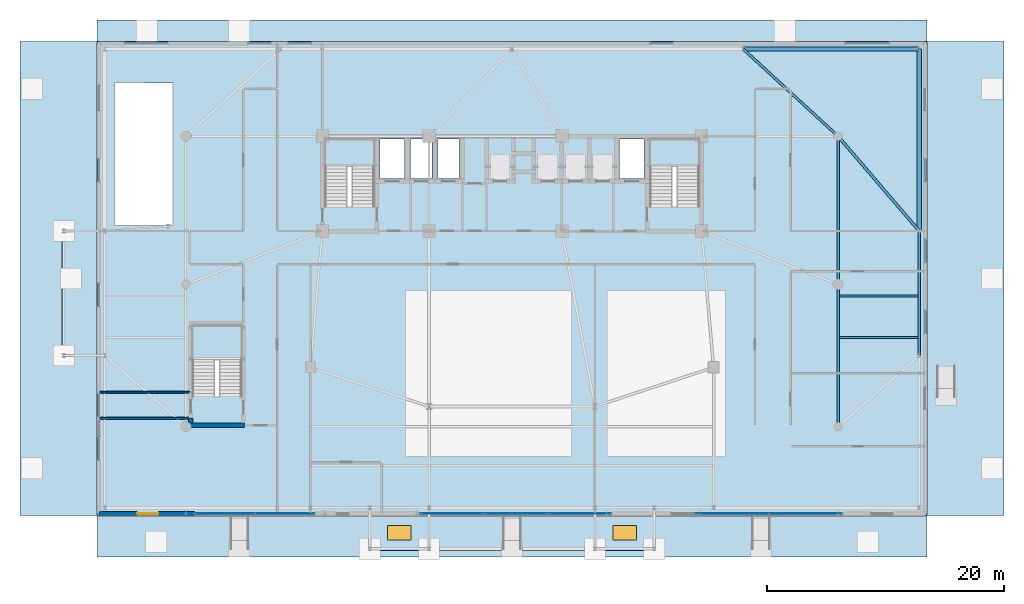
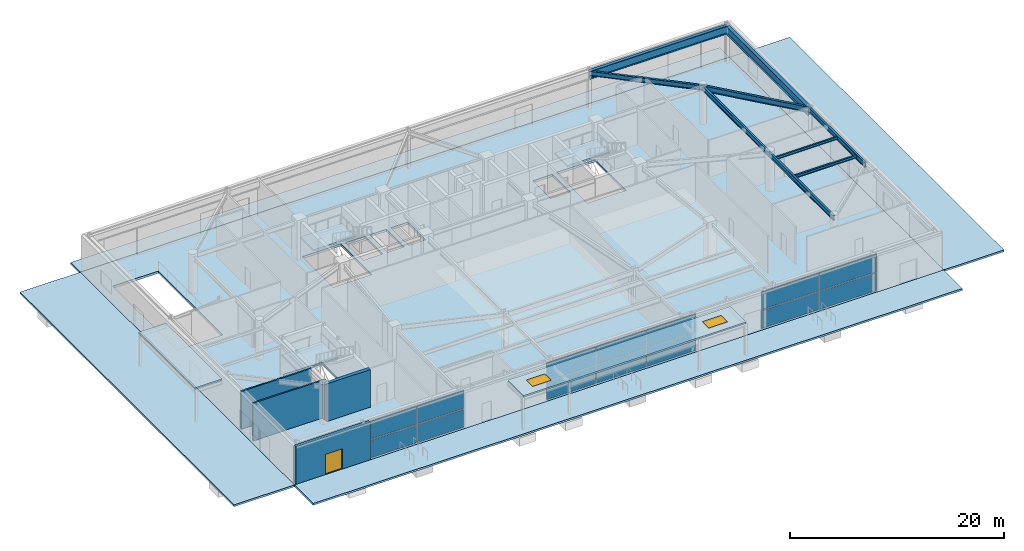
# One storey, part 18 of 29: 14 plates, 10 slabs, 9 beams, 5 walls, 2 windows, 1 door, 3 openings, 9 elements without a shape of their own.
"""IFC4 building model written with IfcOpenShell, lengths in metres."""

from ifc_helpers import new_model, si_unit, direction, frame, frame_2d, origin, origin_2d, place, context, subcontext, project, spatial, polyline, rectangle, i_section, outline, extrude, source, transform, mapped, material, layer, layer_set, material_profile, profile_set, type_object, element, fill, aggregate, save


model = new_model("IFC4")

# Units and contexts
model_context = context("Model", 3, precision=1e-05, world=origin(), true_north=direction((0.0, 1.0)))
body_context = subcontext(model_context, "Body", "Model", "MODEL_VIEW")
ifc_project = project(units=[si_unit("LENGTHUNIT", "METRE"), si_unit("AREAUNIT", "SQUARE_METRE"), si_unit("VOLUMEUNIT", "CUBIC_METRE"), si_unit("PLANEANGLEUNIT", "RADIAN"), si_unit("MASSUNIT", "GRAM", prefix="KILO")], contexts=[model_context])

# Site, building, storey
site_placement = place(None, origin())
site = spatial("IfcSite", under=ifc_project, at=site_placement, CompositionType="ELEMENT")
building_placement = place(site_placement, origin())
building = spatial("IfcBuilding", under=site, at=building_placement, Name="Taldren Reach Tower", CompositionType="ELEMENT")
storey_placement = place(building_placement, origin())
storey = spatial("IfcBuildingStorey", under=building, at=storey_placement, Name="L00", CompositionType="ELEMENT", Elevation=0.0)

# Beams
ifc_material_1 = material(Name="Steel Gr 350 (350PLUS)", Category="steel")
ifc_material_profile_1 = material_profile(ifc_material_1, i_section(OverallWidth=0.35009765625, OverallDepth=0.916015625, WebThickness=0.013916015625, FlangeThickness=0.028076171875, at=origin_2d()), Name="900WB257")
ifc_profile_set_1 = profile_set([ifc_material_profile_1], Name="Steel Gr 350 (350PLUS)")
beam_type_1 = type_object("IfcBeamType", Name="BM-WB900", PredefinedType="BEAM", material=ifc_profile_set_1)
shared_shape_1 = source(origin(), body_context, "Body", "SweptSolid", [
    extrude(i_section(OverallWidth=0.35009765625, OverallDepth=0.916015625, WebThickness=0.013916015625, FlangeThickness=0.028076171875, at=origin_2d()), origin(), (0.0, 0.0, 1.0), 14.85009765625),
])
beam_1_placement = place(storey_placement, frame((54.5, 39.35009765625, 3.83203125), z_axis=(1.0, 0.0, 0.0), x_axis=(0.0, 1.0, 0.0)))
element("IfcBeam", 1, at=beam_1_placement, inside=storey, type_object=beam_type_1, Name="Podium girder L00-PD11", PredefinedType="BEAM", context=body_context, shape_type="MappedRepresentation", body=[
    mapped(shared_shape_1, transform((0.0, 0.0, 0.0), scale=1.0)),
])
ifc_material_profile_2 = material_profile(ifc_material_1, i_section(OverallWidth=0.208984375, OverallDepth=0.528076171875, WebThickness=0.009521484375, FlangeThickness=0.01318359375, at=origin_2d()), Name="530UB82.0")
ifc_profile_set_2 = profile_set([ifc_material_profile_2], Name="Steel Gr 350 (350PLUS)")
beam_type_2 = type_object("IfcBeamType", Name="SP-UB530B", PredefinedType="SPANDREL", material=ifc_profile_set_2)
shared_shape_2 = source(origin(), body_context, "Body", "SweptSolid", [
    extrude(i_section(OverallWidth=0.208984375, OverallDepth=0.528076171875, WebThickness=0.009521484375, FlangeThickness=0.01318359375, at=origin_2d()), origin(), (0.0, 0.0, 1.0), 10.5),
])
beam_2_placement = place(storey_placement, frame((69.35009765625, 13.5, 4.02587890625), z_axis=(0.0, 1.0, 0.0), x_axis=(-1.0, 0.0, 0.0)))
element("IfcBeam", 2, at=beam_2_placement, inside=storey, type_object=beam_type_2, Name="Podium beam L00-PD16", PredefinedType="SPANDREL", context=body_context, shape_type="MappedRepresentation", body=[
    mapped(shared_shape_2, transform((0.0, 0.0, 0.0), scale=1.0)),
])
shared_shape_3 = source(origin(), body_context, "Body", "SweptSolid", [
    extrude(i_section(OverallWidth=0.35009765625, OverallDepth=0.916015625, WebThickness=0.013916015625, FlangeThickness=0.028076171875, at=origin_2d()), origin(), (0.0, 0.0, 1.0), 15.35009765625),
])
beam_3_placement = place(storey_placement, frame((69.35009765625, 24.0, 3.83203125), z_axis=(0.0, 1.0, 0.0), x_axis=(-1.0, 0.0, 0.0)))
element("IfcBeam", 3, at=beam_3_placement, inside=storey, type_object=beam_type_1, Name="Podium girder L00-PD17", PredefinedType="BEAM", context=body_context, shape_type="MappedRepresentation", body=[
    mapped(shared_shape_3, transform((0.0, 0.0, 0.0), scale=1.0)),
])
ifc_material_profile_3 = material_profile(ifc_material_1, i_section(OverallWidth=0.208984375, OverallDepth=0.532958984375, WebThickness=0.01025390625, FlangeThickness=0.015625, at=origin_2d()), Name="530UB92.4")
ifc_profile_set_3 = profile_set([ifc_material_profile_3], Name="Steel Gr 350 (350PLUS)")
beam_type_3 = type_object("IfcBeamType", Name="BM-UB530A", PredefinedType="BEAM", material=ifc_profile_set_3)
shared_shape_4 = source(origin(), body_context, "Body", "SweptSolid", [
    extrude(i_section(OverallWidth=0.208984375, OverallDepth=0.532958984375, WebThickness=0.01025390625, FlangeThickness=0.015625, at=origin_2d()), origin(), (0.0, 0.0, 1.0), 12.0),
])
beam_4_placement = place(storey_placement, frame((62.5, 7.5, 4.0234375), z_axis=(0.0, 1.0, 0.0), x_axis=(-1.0, 0.0, 0.0)))
element("IfcBeam", 4, at=beam_4_placement, inside=storey, type_object=beam_type_3, Name="Podium beam L00-PD27", PredefinedType="BEAM", context=body_context, shape_type="MappedRepresentation", body=[
    mapped(shared_shape_4, transform((0.0, 0.0, 0.0), scale=1.0)),
])
shared_shape_5 = source(origin(), body_context, "Body", "SweptSolid", [
    extrude(i_section(OverallWidth=0.208984375, OverallDepth=0.532958984375, WebThickness=0.01025390625, FlangeThickness=0.015625, at=origin_2d()), origin(), (0.0, 0.0, 1.0), 12.5),
])
beam_5_placement = place(storey_placement, frame((62.5, 19.5, 4.0234375), z_axis=(0.0, 1.0, 0.0), x_axis=(-1.0, 0.0, 0.0)))
element("IfcBeam", 5, at=beam_5_placement, inside=storey, type_object=beam_type_3, Name="Podium beam L00-PD28", PredefinedType="BEAM", context=body_context, shape_type="MappedRepresentation", body=[
    mapped(shared_shape_5, transform((0.0, 0.0, 0.0), scale=1.0)),
])
shared_shape_6 = source(origin(), body_context, "Body", "SweptSolid", [
    extrude(i_section(OverallWidth=0.208984375, OverallDepth=0.532958984375, WebThickness=0.01025390625, FlangeThickness=0.015625, at=origin_2d()), origin(), (0.0, 0.0, 1.0), 10.86376953125),
])
beam_6_placement = place(storey_placement, frame((62.5, 32.0, 4.0234375), z_axis=(-0.736385012576, 0.676562719379, 0.0), x_axis=(-0.676562719379, -0.736385012576, 0.0)))
element("IfcBeam", 6, at=beam_6_placement, inside=storey, type_object=beam_type_3, Name="Podium beam L00-PD29", PredefinedType="BEAM", context=body_context, shape_type="MappedRepresentation", body=[
    mapped(shared_shape_6, transform((0.0, 0.0, 0.0), scale=1.0)),
])
ifc_material_2 = material(Name="Steel Gr 300 (300PLUS, 300 MPa)", Category="steel")
ifc_material_profile_4 = material_profile(ifc_material_2, i_section(OverallWidth=0.166015625, OverallDepth=0.306884765625, WebThickness=0.006591796875, FlangeThickness=0.01171875, at=origin_2d()), Name="310UB46.2")
ifc_profile_set_4 = profile_set([ifc_material_profile_4], Name="Steel Gr 300 (300PLUS, 300 MPa)")
beam_type_4 = type_object("IfcBeamType", Name="JS-UB310", PredefinedType="JOIST", material=ifc_profile_set_4)
shared_shape_7 = source(origin(), body_context, "Body", "SweptSolid", [
    extrude(i_section(OverallWidth=0.166015625, OverallDepth=0.306884765625, WebThickness=0.006591796875, FlangeThickness=0.01171875, at=origin_2d()), origin(), (0.0, 0.0, 1.0), 6.64111328125),
])
for number, where, z_axis, x_axis, name in (
    (7, (62.6044921875, 15.0, 4.136474609375), (1.0, 0.0, 0.0), (0.0, 1.0, 0.0), "Podium wing floor joist L00-3.2"),
    (8, (62.6044921875, 18.5, 4.136474609375), (1.0, 0.0, 0.0), (0.0, 1.0, 0.0), "Podium wing floor joist L00-4.2"),
):
    element("IfcBeam", number, at=place(storey_placement, frame(where, z_axis=z_axis, x_axis=x_axis)), inside=storey, type_object=beam_type_4, Name=name, PredefinedType="JOIST", context=body_context, shape_type="MappedRepresentation", body=[
        mapped(shared_shape_7, transform((0.0, 0.0, 0.0), scale=1.0)),
    ])
ifc_material_profile_5 = material_profile(ifc_material_1, i_section(OverallWidth=0.22900390625, OverallDepth=0.612060546875, WebThickness=0.011962890625, FlangeThickness=0.01953125, at=origin_2d()), Name="610UB125")
ifc_profile_set_5 = profile_set([ifc_material_profile_5], Name="Steel Gr 350 (350PLUS)")
beam_type_5 = type_object("IfcBeamType", Name="BM-UB610A", PredefinedType="BEAM", material=ifc_profile_set_5)
shared_shape_8 = source(origin(), body_context, "Body", "SweptSolid", [
    extrude(i_section(OverallWidth=0.22900390625, OverallDepth=0.612060546875, WebThickness=0.011962890625, FlangeThickness=0.01953125, at=origin_2d()), origin(), (0.0, 0.0, 1.0), 10.531982421875),
])
beam_7_placement = place(storey_placement, frame((62.5, 32.0, 3.98388671875), z_axis=(0.650405670814, -0.759587034758, 0.0), x_axis=(0.759587034758, 0.650405670814, 0.0)))
element("IfcBeam", 9, at=beam_7_placement, inside=storey, type_object=beam_type_5, Name="Service bay heavy portal lintel L00", PredefinedType="BEAM", context=body_context, shape_type="MappedRepresentation", body=[
    mapped(shared_shape_8, transform((0.0, 0.0, 0.0), scale=1.0)),
])

# Slab, openings, windows
ifc_material_3 = material(Name="Concrete N40 (40 MPa)", Category="concrete")
ifc_layer_1 = layer(ifc_material_3, 0.179931640625)
ifc_layer_set_1 = layer_set([ifc_layer_1], Name="Concrete N40 (40 MPa)")
slab_type_1 = type_object("IfcSlabType", Name="SL-CANOPY-180", PredefinedType="ROOF", material=ifc_layer_set_1)
slab_1_placement = place(storey_placement, frame((0.0, 0.0, 3.719970703125)))
slab_1 = element("IfcSlab", 10, at=slab_1_placement, inside=storey, type_object=slab_type_1, Name="Entrance arrival canopy slab South", PredefinedType="ROOF", context=body_context, shape_type="SweptSolid", body=[
    extrude(outline(polyline([(23.0, -2.949951171875), (47.0, -2.949951171875), (47.0, 0.0), (23.0, 0.0), (23.0, -2.949951171875)])), origin(), (0.0, 0.0, 1.0), 0.179931640625),
])
opening_1_placement = place(slab_1_placement, frame((25.5, -1.449951171875, -0.010009765625)))
opening_1 = element("IfcOpeningElement", 11, at=opening_1_placement, cuts=slab_1, Name="Opening SK-2012", PredefinedType="OPENING", context=body_context, shape_type="SweptSolid", body=[
    extrude(rectangle(XDim=2.0, YDim=1.199951171875, at=origin_2d()), origin(), (0.0, 0.0, 1.0), 0.199951171875),
])
opening_2_placement = place(slab_1_placement, frame((44.5, -1.449951171875, -0.010009765625)))
opening_2 = element("IfcOpeningElement", 12, at=opening_2_placement, cuts=slab_1, Name="Opening SK-2012", PredefinedType="OPENING", context=body_context, shape_type="SweptSolid", body=[
    extrude(rectangle(XDim=2.0, YDim=1.199951171875, at=origin_2d()), origin(), (0.0, 0.0, 1.0), 0.199951171875),
])
ifc_material_4 = material(Name="Thermally Broken Aluminium and Low-E IGU", Category="aluminium")
window_type = type_object("IfcWindowType", Name="SK-CRN-2000", PartitioningType="SINGLE_PANEL", PredefinedType="SKYLIGHT", material=ifc_material_4)
window_1_placement = place(slab_1_placement, frame((25.5, -1.449951171875, 0.1298828125)))
window_1 = element("IfcWindow", 13, at=window_1_placement, inside=storey, type_object=window_type, Name="Entrance canopy skylight SK-CAN-1", OverallHeight=1.199951171875, OverallWidth=2.0, PartitioningType="SINGLE_PANEL", PredefinedType="SKYLIGHT", context=body_context, shape_type="SweptSolid", body=[
    extrude(rectangle(XDim=2.0, YDim=1.199951171875, at=origin_2d()), origin(), (0.0, 0.0, 1.0), 0.050048828125),
])
fill(opening_1, window_1)
window_2_placement = place(slab_1_placement, frame((44.5, -1.449951171875, 0.1298828125)))
window_2 = element("IfcWindow", 14, at=window_2_placement, inside=storey, type_object=window_type, Name="Entrance canopy skylight SK-CAN-2", OverallHeight=1.199951171875, OverallWidth=2.0, PartitioningType="SINGLE_PANEL", PredefinedType="SKYLIGHT", context=body_context, shape_type="SweptSolid", body=[
    extrude(rectangle(XDim=2.0, YDim=1.199951171875, at=origin_2d()), origin(), (0.0, 0.0, 1.0), 0.050048828125),
])
fill(opening_2, window_2)

# Slabs
slab_2_placement = place(storey_placement, frame((0.0, 0.0, 3.719970703125)))
element("IfcSlab", 15, at=slab_2_placement, inside=storey, type_object=slab_type_1, Name="Entrance arrival canopy slab West", PredefinedType="ROOF", context=body_context, shape_type="SweptSolid", body=[
    extrude(outline(polyline([(-2.949951171875, 13.5), (0.0, 13.5), (0.0, 24.0), (-2.949951171875, 24.0), (-2.949951171875, 13.5)])), origin(), (0.0, 0.0, 1.0), 0.179931640625),
])
ifc_material_5 = material(Name="Concrete S50 (50 MPa)", Category="concrete")
ifc_layer_2 = layer(ifc_material_5, 0.260009765625)
ifc_layer_set_2 = layer_set([ifc_layer_2], Name="Concrete S50 (50 MPa)")
slab_type_2 = type_object("IfcSlabType", Name="SL-FLR-260", PredefinedType="FLOOR", material=ifc_layer_set_2)
slab_3_placement = place(storey_placement, frame((0.0, 0.0, -0.260009765625)))
element("IfcSlab", 16, at=slab_3_placement, inside=storey, type_object=slab_type_2, Name="Suspended floor slab L00", PredefinedType="FLOOR", context=body_context, shape_type="SweptSolid", body=[
    extrude(outline(polyline([(0.0, 0.0), (70.0, 0.0), (70.0, 40.0), (0.0, 40.0), (0.0, 0.0)]), holes=[polyline([(19.219970703125, 26.050048828125), (23.3798828125, 26.050048828125), (23.3798828125, 31.820068359375), (19.219970703125, 31.820068359375), (19.219970703125, 26.050048828125)]), polyline([(46.6201171875, 26.050048828125), (50.780029296875, 26.050048828125), (50.780029296875, 31.820068359375), (46.6201171875, 31.820068359375), (46.6201171875, 26.050048828125)]), polyline([(8.050048828125, 10.050048828125), (12.18994140625, 10.050048828125), (12.18994140625, 16.080078125), (8.050048828125, 16.080078125), (8.050048828125, 10.050048828125)]), polyline([(1.5, 24.5), (6.39990234375, 24.5), (6.39990234375, 36.5), (1.5, 36.5), (1.5, 24.5)]), polyline([(23.85009765625, 28.449951171875), (25.949951171875, 28.449951171875), (25.949951171875, 31.75), (23.85009765625, 31.75), (23.85009765625, 28.449951171875)]), polyline([(44.050048828125, 28.449951171875), (46.14990234375, 28.449951171875), (46.14990234375, 31.75), (44.050048828125, 31.75), (44.050048828125, 28.449951171875)]), polyline([(26.449951171875, 28.449951171875), (28.25, 28.449951171875), (28.25, 31.75), (26.449951171875, 31.75), (26.449951171875, 28.449951171875)]), polyline([(28.75, 28.449951171875), (30.550048828125, 28.449951171875), (30.550048828125, 31.75), (28.75, 31.75), (28.75, 28.449951171875)])]), origin(), (0.0, 0.0, 1.0), 0.260009765625),
])

# Stair, slab
stair_type_1 = type_object("IfcStairType", Name="ST-HT-455", PredefinedType="HALF_TURN_STAIR", material=ifc_material_5)
stair_1_placement = place(storey_placement, origin())
stair_1 = element("IfcStair", 17, at=stair_1_placement, inside=storey, type_object=stair_type_1, Name="Fire-isolated exit stair ST1 L00", PredefinedType="HALF_TURN_STAIR")
ifc_layer_3 = layer(ifc_material_5, 0.179931640625)
ifc_layer_set_3 = layer_set([ifc_layer_3], Name="Concrete S50 (50 MPa)")
slab_type_3 = type_object("IfcSlabType", Name="SL-LAND-180", PredefinedType="LANDING", material=ifc_layer_set_3)
slab_4_placement = place(storey_placement, frame((0.0, 0.0, 2.094970703125)))
slab_4 = element("IfcSlab", 18, at=slab_4_placement, type_object=slab_type_3, Name="ST1 landing 1", PredefinedType="LANDING", context=body_context, shape_type="SweptSolid", body=[
    extrude(outline(polyline([(19.0400390625, 29.429931640625), (23.56005859375, 29.429931640625), (23.56005859375, 31.8701171875), (19.0400390625, 31.8701171875), (19.0400390625, 29.429931640625)])), origin(), (0.0, 0.0, 1.0), 0.179931640625),
])
aggregate(stair_1, [slab_4])

stair_2_placement = place(storey_placement, origin())
stair_2 = element("IfcStair", 19, at=stair_2_placement, inside=storey, type_object=stair_type_1, Name="Fire-isolated exit stair ST2 L00", PredefinedType="HALF_TURN_STAIR")
slab_5_placement = place(storey_placement, frame((0.0, 0.0, 2.094970703125)))
slab_5 = element("IfcSlab", 20, at=slab_5_placement, type_object=slab_type_3, Name="ST2 landing 1", PredefinedType="LANDING", context=body_context, shape_type="SweptSolid", body=[
    extrude(outline(polyline([(46.43994140625, 29.429931640625), (50.9599609375, 29.429931640625), (50.9599609375, 31.8701171875), (46.43994140625, 31.8701171875), (46.43994140625, 29.429931640625)])), origin(), (0.0, 0.0, 1.0), 0.179931640625),
])
aggregate(stair_2, [slab_5])

stair_type_2 = type_object("IfcStairType", Name="ST-HT-POD", PredefinedType="HALF_TURN_STAIR", material=ifc_material_5)
stair_3_placement = place(storey_placement, origin())
stair_3 = element("IfcStair", 21, at=stair_3_placement, inside=storey, type_object=stair_type_2, Name="Fire-isolated exit stair ST3 L00", PredefinedType="HALF_TURN_STAIR")
slab_6_placement = place(storey_placement, frame((0.0, 0.0, 2.094970703125)))
slab_6 = element("IfcSlab", 22, at=slab_6_placement, type_object=slab_type_3, Name="ST3 landing 1", PredefinedType="LANDING", context=body_context, shape_type="SweptSolid", body=[
    extrude(outline(polyline([(7.93994140625, 13.135009765625), (12.300048828125, 13.135009765625), (12.300048828125, 16.1298828125), (7.93994140625, 16.1298828125), (7.93994140625, 13.135009765625)])), origin(), (0.0, 0.0, 1.0), 0.179931640625),
])
aggregate(stair_3, [slab_6])

# Slabs
ifc_layer_4 = layer(ifc_material_5, 0.2099609375)
ifc_layer_set_4 = layer_set([ifc_layer_4], Name="Concrete S50 (50 MPa)")
slab_type_4 = type_object("IfcSlabType", Name="SL-TERR-220", PredefinedType="FLOOR", material=ifc_layer_set_4)
slab_7_placement = place(storey_placement, frame((0.0, 0.0, -0.2099609375)))
element("IfcSlab", 23, at=slab_7_placement, inside=storey, type_object=slab_type_4, Name="Riverfront promenade threshold apron", PredefinedType="FLOOR", context=body_context, shape_type="SweptSolid", body=[
    extrude(outline(polyline([(0.0, -3.5), (70.0, -3.5), (70.0, 0.0), (0.0, 0.0), (0.0, -3.5)])), origin(), (0.0, 0.0, 1.0), 0.2099609375),
])
slab_8_placement = place(storey_placement, frame((0.0, 0.0, -0.2099609375)))
element("IfcSlab", 24, at=slab_8_placement, inside=storey, type_object=slab_type_4, Name="West plaza arrival apron", PredefinedType="FLOOR", context=body_context, shape_type="SweptSolid", body=[
    extrude(outline(polyline([(-6.5, 0.0), (0.0, 0.0), (0.0, 40.0), (-6.5, 40.0), (-6.5, 0.0)])), origin(), (0.0, 0.0, 1.0), 0.2099609375),
])
slab_9_placement = place(storey_placement, frame((0.0, 0.0, -0.2099609375)))
element("IfcSlab", 25, at=slab_9_placement, inside=storey, type_object=slab_type_4, Name="East clinic walkway apron", PredefinedType="FLOOR", context=body_context, shape_type="SweptSolid", body=[
    extrude(outline(polyline([(70.0, 0.0), (76.5, 0.0), (76.5, 40.0), (70.0, 40.0), (70.0, 0.0)])), origin(), (0.0, 0.0, 1.0), 0.2099609375),
])
slab_10_placement = place(storey_placement, frame((0.0, 0.0, -0.2099609375)))
element("IfcSlab", 26, at=slab_10_placement, inside=storey, type_object=slab_type_4, Name="North ambulance and exit apron", PredefinedType="FLOOR", context=body_context, shape_type="SweptSolid", body=[
    extrude(outline(polyline([(0.0, 40.0), (70.0, 40.0), (70.0, 41.800048828125), (0.0, 41.800048828125), (0.0, 40.0)])), origin(), (0.0, 0.0, 1.0), 0.2099609375),
])

# Curtain wall, plates
ifc_material_6 = material(Name="Aluminium and Low-E Glass Unitised System", Category="aluminium")
ifc_layer_5 = layer(ifc_material_6, 0.159912109375)
ifc_layer_set_5 = layer_set([ifc_layer_5], Name="Aluminium and Low-E Glass Unitised System")
curtain_wall_type = type_object("IfcCurtainWallType", Name="CW-SYS-1", PredefinedType="NOTDEFINED", material=ifc_layer_set_5)
curtain_wall_1_placement = place(storey_placement, origin())
curtain_wall_1 = element("IfcCurtainWall", 27, at=curtain_wall_1_placement, inside=storey, type_object=curtain_wall_type, Name="Unitised curtain wall CW1-L00-S1", PredefinedType="NOTDEFINED")
ifc_material_7 = material(Name="Low-E Double Glazed IGU", Category="glass")
ifc_layer_6 = layer(ifc_material_7, 0.028076171875)
ifc_layer_set_6 = layer_set([ifc_layer_6], Name="Low-E Double Glazed IGU")
plate_type = type_object("IfcPlateType", Name="CW-PNL-IGU28", PredefinedType="CURTAIN_PANEL", material=ifc_layer_set_6)
shared_shape_9 = source(origin(), body_context, "Body", "SweptSolid", [
    extrude(rectangle(XDim=4.9951171875, YDim=0.028076171875, at=origin_2d()), origin(), (0.0, 0.0, 1.0), 2.02490234375),
])
plate_1_placement = place(storey_placement, frame((10.767578125, 0.169921875, 0.06005859375), z_axis=(0.0, 0.0, 1.0), x_axis=(1.0, 0.0, 0.0)))
plate_1 = element("IfcPlate", 28, at=plate_1_placement, type_object=plate_type, Name="CW-1 panel 1.1", PredefinedType="CURTAIN_PANEL", context=body_context, shape_type="MappedRepresentation", body=[
    mapped(shared_shape_9, transform((0.0, 0.0, 0.0), scale=1.0)),
])
plate_2_placement = place(storey_placement, frame((15.83251953125, 0.169921875, 0.06005859375), z_axis=(0.0, 0.0, 1.0), x_axis=(1.0, 0.0, 0.0)))
plate_2 = element("IfcPlate", 29, at=plate_2_placement, type_object=plate_type, Name="CW-1 panel 2.1", PredefinedType="CURTAIN_PANEL", context=body_context, shape_type="MappedRepresentation", body=[
    mapped(shared_shape_9, transform((0.0, 0.0, 0.0), scale=1.0)),
])
aggregate(curtain_wall_1, [plate_1, plate_2])

curtain_wall_2_placement = place(storey_placement, origin())
curtain_wall_2 = element("IfcCurtainWall", 30, at=curtain_wall_2_placement, inside=storey, type_object=curtain_wall_type, Name="Unitised curtain wall CW1-L00-S1-T2", PredefinedType="NOTDEFINED")
plate_3_placement = place(storey_placement, frame((10.767578125, 0.169921875, 2.205078125), z_axis=(0.0, 0.0, 1.0), x_axis=(1.0, 0.0, 0.0)))
plate_3 = element("IfcPlate", 31, at=plate_3_placement, type_object=plate_type, Name="CW-1 panel 1.1", PredefinedType="CURTAIN_PANEL", context=body_context, shape_type="MappedRepresentation", body=[
    mapped(shared_shape_9, transform((0.0, 0.0, 0.0), scale=1.0)),
])
plate_4_placement = place(storey_placement, frame((15.83251953125, 0.169921875, 2.205078125), z_axis=(0.0, 0.0, 1.0), x_axis=(1.0, 0.0, 0.0)))
plate_4 = element("IfcPlate", 32, at=plate_4_placement, type_object=plate_type, Name="CW-1 panel 2.1", PredefinedType="CURTAIN_PANEL", context=body_context, shape_type="MappedRepresentation", body=[
    mapped(shared_shape_9, transform((0.0, 0.0, 0.0), scale=1.0)),
])
aggregate(curtain_wall_2, [plate_3, plate_4])

curtain_wall_3_placement = place(storey_placement, origin())
curtain_wall_3 = element("IfcCurtainWall", 33, at=curtain_wall_3_placement, inside=storey, type_object=curtain_wall_type, Name="Unitised curtain wall CW1-L00-S2", PredefinedType="NOTDEFINED")
shared_shape_10 = source(origin(), body_context, "Body", "SweptSolid", [
    extrude(rectangle(XDim=5.294921875, YDim=0.028076171875, at=origin_2d()), origin(), (0.0, 0.0, 1.0), 2.02490234375),
])
plate_5_placement = place(storey_placement, frame((29.91748046875, 0.169921875, 0.06005859375), z_axis=(0.0, 0.0, 1.0), x_axis=(1.0, 0.0, 0.0)))
plate_5 = element("IfcPlate", 34, at=plate_5_placement, type_object=plate_type, Name="CW-1 panel 1.1", PredefinedType="CURTAIN_PANEL", context=body_context, shape_type="MappedRepresentation", body=[
    mapped(shared_shape_10, transform((0.0, 0.0, 0.0), scale=1.0)),
])
plate_6_placement = place(storey_placement, frame((40.6826171875, 0.169921875, 0.06005859375), z_axis=(0.0, 0.0, 1.0), x_axis=(1.0, 0.0, 0.0)))
plate_6 = element("IfcPlate", 35, at=plate_6_placement, type_object=plate_type, Name="CW-1 panel 3.1", PredefinedType="CURTAIN_PANEL", context=body_context, shape_type="MappedRepresentation", body=[
    mapped(shared_shape_10, transform((0.0, 0.0, 0.0), scale=1.0)),
])

curtain_wall_4_placement = place(storey_placement, origin())
curtain_wall_4 = element("IfcCurtainWall", 36, at=curtain_wall_4_placement, inside=storey, type_object=curtain_wall_type, Name="Unitised curtain wall CW1-L00-S2-T2", PredefinedType="NOTDEFINED")
plate_7_placement = place(storey_placement, frame((29.91748046875, 0.169921875, 2.205078125), z_axis=(0.0, 0.0, 1.0), x_axis=(1.0, 0.0, 0.0)))
plate_7 = element("IfcPlate", 37, at=plate_7_placement, type_object=plate_type, Name="CW-1 panel 1.1", PredefinedType="CURTAIN_PANEL", context=body_context, shape_type="MappedRepresentation", body=[
    mapped(shared_shape_10, transform((0.0, 0.0, 0.0), scale=1.0)),
])
plate_8_placement = place(storey_placement, frame((40.6826171875, 0.169921875, 2.205078125), z_axis=(0.0, 0.0, 1.0), x_axis=(1.0, 0.0, 0.0)))
plate_8 = element("IfcPlate", 38, at=plate_8_placement, type_object=plate_type, Name="CW-1 panel 3.1", PredefinedType="CURTAIN_PANEL", context=body_context, shape_type="MappedRepresentation", body=[
    mapped(shared_shape_10, transform((0.0, 0.0, 0.0), scale=1.0)),
])

# Plate
shared_shape_11 = source(origin(), body_context, "Body", "SweptSolid", [
    extrude(rectangle(XDim=5.330078125, YDim=0.028076171875, at=origin_2d()), origin(), (0.0, 0.0, 1.0), 2.02490234375),
])
plate_9_placement = place(storey_placement, frame((35.300048828125, 0.169921875, 0.06005859375), z_axis=(0.0, 0.0, 1.0), x_axis=(1.0, 0.0, 0.0)))
plate_9 = element("IfcPlate", 39, at=plate_9_placement, type_object=plate_type, Name="CW-1 panel 2.1", PredefinedType="CURTAIN_PANEL", context=body_context, shape_type="MappedRepresentation", body=[
    mapped(shared_shape_11, transform((0.0, 0.0, 0.0), scale=1.0)),
])

aggregate(curtain_wall_3, [plate_5, plate_9, plate_6])

plate_10_placement = place(storey_placement, frame((35.300048828125, 0.169921875, 2.205078125), z_axis=(0.0, 0.0, 1.0), x_axis=(1.0, 0.0, 0.0)))
plate_10 = element("IfcPlate", 40, at=plate_10_placement, type_object=plate_type, Name="CW-1 panel 2.1", PredefinedType="CURTAIN_PANEL", context=body_context, shape_type="MappedRepresentation", body=[
    mapped(shared_shape_11, transform((0.0, 0.0, 0.0), scale=1.0)),
])

aggregate(curtain_wall_4, [plate_7, plate_10, plate_8])

# Curtain wall, plates
curtain_wall_5_placement = place(storey_placement, origin())
curtain_wall_5 = element("IfcCurtainWall", 41, at=curtain_wall_5_placement, inside=storey, type_object=curtain_wall_type, Name="Unitised curtain wall CW1-L00-S3", PredefinedType="NOTDEFINED")
shared_shape_12 = source(origin(), body_context, "Body", "SweptSolid", [
    extrude(rectangle(XDim=6.14501953125, YDim=0.028076171875, at=origin_2d()), origin(), (0.0, 0.0, 1.0), 2.02490234375),
])
plate_11_placement = place(storey_placement, frame((53.54248046875, 0.169921875, 0.06005859375), z_axis=(0.0, 0.0, 1.0), x_axis=(1.0, 0.0, 0.0)))
plate_11 = element("IfcPlate", 42, at=plate_11_placement, type_object=plate_type, Name="CW-1 panel 1.1", PredefinedType="CURTAIN_PANEL", context=body_context, shape_type="MappedRepresentation", body=[
    mapped(shared_shape_12, transform((0.0, 0.0, 0.0), scale=1.0)),
])
plate_12_placement = place(storey_placement, frame((59.757568359375, 0.169921875, 0.06005859375), z_axis=(0.0, 0.0, 1.0), x_axis=(1.0, 0.0, 0.0)))
plate_12 = element("IfcPlate", 43, at=plate_12_placement, type_object=plate_type, Name="CW-1 panel 2.1", PredefinedType="CURTAIN_PANEL", context=body_context, shape_type="MappedRepresentation", body=[
    mapped(shared_shape_12, transform((0.0, 0.0, 0.0), scale=1.0)),
])
aggregate(curtain_wall_5, [plate_11, plate_12])

curtain_wall_6_placement = place(storey_placement, origin())
curtain_wall_6 = element("IfcCurtainWall", 44, at=curtain_wall_6_placement, inside=storey, type_object=curtain_wall_type, Name="Unitised curtain wall CW1-L00-S3-T2", PredefinedType="NOTDEFINED")
plate_13_placement = place(storey_placement, frame((53.54248046875, 0.169921875, 2.205078125), z_axis=(0.0, 0.0, 1.0), x_axis=(1.0, 0.0, 0.0)))
plate_13 = element("IfcPlate", 45, at=plate_13_placement, type_object=plate_type, Name="CW-1 panel 1.1", PredefinedType="CURTAIN_PANEL", context=body_context, shape_type="MappedRepresentation", body=[
    mapped(shared_shape_12, transform((0.0, 0.0, 0.0), scale=1.0)),
])
plate_14_placement = place(storey_placement, frame((59.757568359375, 0.169921875, 2.205078125), z_axis=(0.0, 0.0, 1.0), x_axis=(1.0, 0.0, 0.0)))
plate_14 = element("IfcPlate", 46, at=plate_14_placement, type_object=plate_type, Name="CW-1 panel 2.1", PredefinedType="CURTAIN_PANEL", context=body_context, shape_type="MappedRepresentation", body=[
    mapped(shared_shape_12, transform((0.0, 0.0, 0.0), scale=1.0)),
])
aggregate(curtain_wall_6, [plate_13, plate_14])

# Wall, opening, door
ifc_material_8 = material(Name="Pale Champagne Anodised Aluminium Cladding", Category="aluminium")
ifc_layer_7 = layer(ifc_material_8, 0.04, Name="Pale Champagne Anodised Aluminium Cladding", Category="aluminium")
ifc_material_9 = material(Name="Mineral Wool Thermal Insulation", Category="insulation")
ifc_layer_8 = layer(ifc_material_9, 0.08, Name="Mineral Wool Thermal Insulation", Category="insulation")
ifc_layer_9 = layer(ifc_material_5, 0.22, Name="Concrete S50 (50 MPa)", Category="concrete")
ifc_layer_set_7 = layer_set([ifc_layer_7, ifc_layer_8, ifc_layer_9], Name="Pale Champagne Aluminium Cladding and Precast Concrete 50 MPa (S50)")
wall_type_1 = type_object("IfcWallType", Name="EW-POD-340", PredefinedType="SOLIDWALL", material=ifc_layer_set_7)
shared_shape_13 = source(origin(), body_context, "Body", "SweptSolid", [
    extrude(rectangle(XDim=8.030029296875, YDim=0.340087890625, at=frame_2d((4.01513671875, 0.0))), origin(), (0.0, 0.0, 1.0), 4.2900390625),
])
wall_1_placement = place(storey_placement, frame((0.169921875, 0.169921875, 0.0), z_axis=(0.0, 0.0, 1.0), x_axis=(1.0, 0.0, 0.0)))
wall_1 = element("IfcWall", 47, at=wall_1_placement, inside=storey, type_object=wall_type_1, Name="Podium riverfront wall L00-S1", PredefinedType="SOLIDWALL", context=body_context, shape_type="MappedRepresentation", body=[
    mapped(shared_shape_13, transform((0.0, 0.0, 0.0), scale=1.0)),
])
shared_shape_14 = source(origin(), body_context, "Body", "SweptSolid", [
    extrude(rectangle(XDim=1.800048828125, YDim=2.300048828125, at=frame_2d((0.89990234375, 1.14990234375))), frame((0.0, 0.18017578125, 0.0), z_axis=(0.0, -1.0, 0.0), x_axis=(1.0, 0.0, 0.0)), (0.0, 0.0, 1.0), 0.360107421875),
])
opening_3_placement = place(wall_1_placement, frame((3.199951171875, 0.0, 0.0)))
opening_3 = element("IfcOpeningElement", 48, at=opening_3_placement, cuts=wall_1, Name="Opening ED-180", PredefinedType="OPENING", context=body_context, shape_type="MappedRepresentation", body=[
    mapped(shared_shape_14, transform((0.0, 0.0, 0.0), scale=1.0)),
])
ifc_material_10 = material(Name="Waterfront Promenade Double Exit Door")
door_type = type_object("IfcDoorType", Name="ED-EXIT-1800", OperationType="DOUBLE_DOOR_SINGLE_SWING", PredefinedType="DOOR", material=ifc_material_10)
shared_shape_15 = source(origin(), body_context, "Body", "SweptSolid", [
    extrude(rectangle(XDim=1.800048828125, YDim=2.300048828125, at=frame_2d((0.89990234375, 1.14990234375))), frame((0.0, 0.02490234375, 0.0), z_axis=(0.0, -1.0, 0.0), x_axis=(1.0, 0.0, 0.0)), (0.0, 0.0, 1.0), 0.050048828125),
])
door_placement = place(opening_3_placement, frame((1.800048828125, 0.0, 0.0), z_axis=(0.0, 0.0, 1.0), x_axis=(-1.0, 0.0, 0.0)))
door = element("IfcDoor", 49, at=door_placement, inside=storey, type_object=door_type, Name="Ground exit door ED-L00-S1", OperationType="DOUBLE_DOOR_SINGLE_SWING", OverallHeight=2.300048828125, OverallWidth=1.800048828125, PredefinedType="DOOR", context=body_context, shape_type="MappedRepresentation", body=[
    mapped(shared_shape_15, transform((0.0, 0.0, 0.0), scale=1.0)),
])
fill(opening_3, door)

# Walls
ifc_material_11 = material(Name="Concrete S80 (80 MPa)", Category="concrete")
ifc_layer_10 = layer(ifc_material_11, 0.3798828125)
ifc_layer_set_8 = layer_set([ifc_layer_10], Name="Concrete S80 (80 MPa)")
wall_type_2 = type_object("IfcWallType", Name="IW-CORE-380", PredefinedType="SHEAR", material=ifc_layer_set_8)
shared_shape_16 = source(origin(), body_context, "Body", "SweptSolid", [
    extrude(rectangle(XDim=4.659912109375, YDim=0.3798828125, at=frame_2d((2.330078125, 0.0))), origin(), (0.0, 0.0, 1.0), 4.2900390625),
])
wall_2_placement = place(storey_placement, frame((12.449951171875, 7.60009765625, 0.0), z_axis=(0.0, 0.0, 1.0), x_axis=(-1.0, 0.0, 0.0)))
element("IfcWall", 50, at=wall_2_placement, inside=storey, type_object=wall_type_2, Name="Rear Core Shear Wall W-INT-L00-043", PredefinedType="SHEAR", context=body_context, shape_type="MappedRepresentation", body=[
    mapped(shared_shape_16, transform((0.0, 0.0, 0.0), scale=1.0)),
])
shared_shape_17 = source(origin(), body_context, "Body", "SweptSolid", [
    extrude(rectangle(XDim=0.3896484375, YDim=0.3798828125, at=frame_2d((0.19482421875, 0.0))), origin(), (0.0, 0.0, 1.0), 4.2900390625),
])
wall_3_placement = place(storey_placement, frame((7.89990234375, 7.7900390625, 0.0), z_axis=(0.0, 0.0, 1.0), x_axis=(0.0, 1.0, 0.0)))
element("IfcWall", 51, at=wall_3_placement, inside=storey, type_object=wall_type_2, Name="Rear Core Shear Wall W-INT-L00-044", PredefinedType="SHEAR", context=body_context, shape_type="MappedRepresentation", body=[
    mapped(shared_shape_17, transform((0.0, 0.0, 0.0), scale=1.0)),
])
ifc_material_12 = material(Name="Fire-Rated Acoustic Plasterboard Stud Wall", Category="gypsum")
ifc_layer_11 = layer(ifc_material_12, 0.159912109375)
ifc_layer_set_9 = layer_set([ifc_layer_11], Name="Fire-Rated Acoustic Plasterboard Stud Wall")
wall_type_3 = type_object("IfcWallType", Name="IW-FIRE-160", PredefinedType="PARTITIONING", material=ifc_layer_set_9)
shared_shape_18 = source(origin(), body_context, "Body", "SweptSolid", [
    extrude(rectangle(XDim=7.590087890625, YDim=0.159912109375, at=frame_2d((3.794921875, 0.0))), origin(), (0.0, 0.0, 1.0), 4.2900390625),
])
for number, where, z_axis, x_axis, name in (
    (52, (0.22998046875, 8.199951171875, 0.0), (0.0, 0.0, 1.0), (1.0, 0.0, 0.0), "Interior Partition Wall W-INT-L00-077"),
    (53, (7.820068359375, 10.39990234375, 0.0), (0.0, 0.0, 1.0), (-1.0, 0.0, 0.0), "Interior Partition Wall W-INT-L00-079"),
):
    element("IfcWall", number, at=place(storey_placement, frame(where, z_axis=z_axis, x_axis=x_axis)), inside=storey, type_object=wall_type_3, Name=name, PredefinedType="PARTITIONING", context=body_context, shape_type="MappedRepresentation", body=[
        mapped(shared_shape_18, transform((0.0, 0.0, 0.0), scale=1.0)),
    ])

save(model, "model.ifc")
